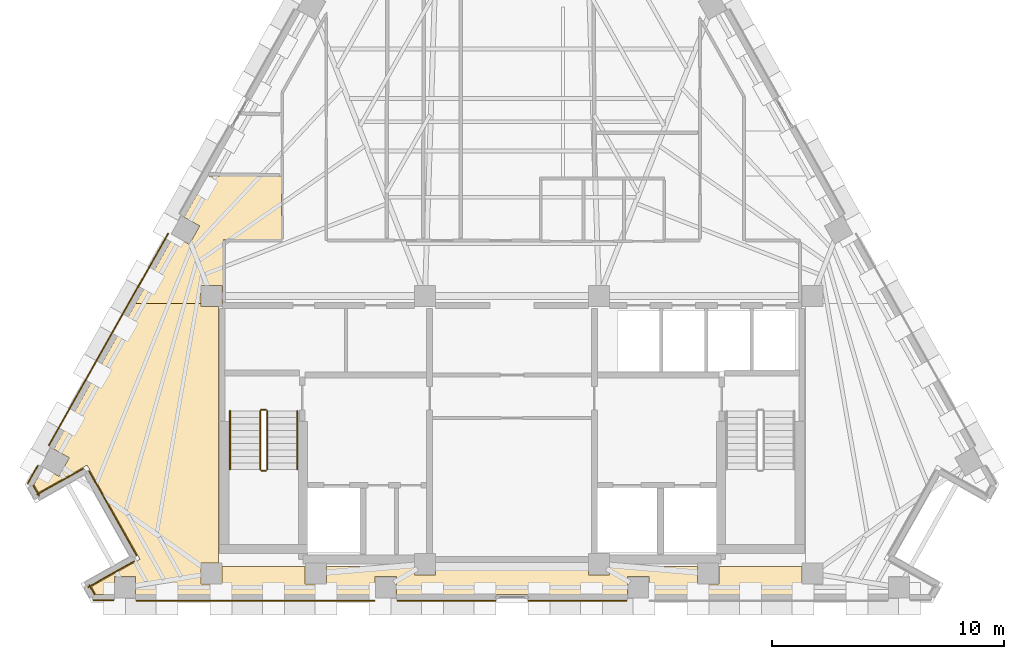
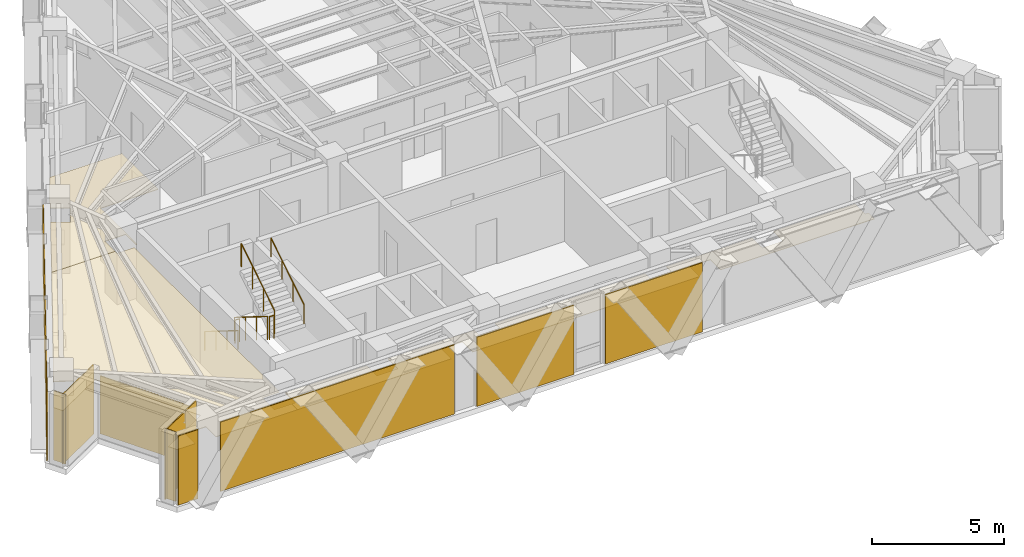
# One storey, part 10 of 12: 14 coverings, 6 railings.
"""IFC4 building model written with IfcOpenShell, lengths in metres."""

from ifc_helpers import new_model, si_unit, direction, frame, origin, origin_2d, place, context, subcontext, project, spatial, polyline, circle, outline, extrude, material, layer, layer_set, type_object, element, save


model = new_model("IFC4")

# Units and contexts
model_context = context("Model", 3, precision=1e-05, world=origin(), true_north=direction((0.0, 1.0)))
body_context = subcontext(model_context, "Body", "Model", "MODEL_VIEW")
ifc_project = project(units=[si_unit("LENGTHUNIT", "METRE"), si_unit("AREAUNIT", "SQUARE_METRE"), si_unit("VOLUMEUNIT", "CUBIC_METRE"), si_unit("PLANEANGLEUNIT", "RADIAN"), si_unit("MASSUNIT", "GRAM", prefix="KILO")], contexts=[model_context])

# Site, building, storey
site_placement = place(None, origin())
site = spatial("IfcSite", under=ifc_project, at=site_placement, CompositionType="ELEMENT")
building_placement = place(site_placement, origin())
building = spatial("IfcBuilding", under=site, at=building_placement, Name="Quenlor Broadcast Tower", CompositionType="ELEMENT")
storey_placement = place(building_placement, frame((0.0, 0.0, 190.39990234375)))
storey = spatial("IfcBuildingStorey", under=building, at=storey_placement, Name="L52", CompositionType="ELEMENT", Elevation=190.39990234375)

# Coverings
ifc_material_1 = material(Name="Acoustic Mineral Fibre Board", Category="other")
ifc_layer_1 = layer(ifc_material_1, 0.02490234375)
ifc_layer_set_1 = layer_set([ifc_layer_1], Name="Acoustic Perforated Mineral Tile Ceiling 25")
covering_type_1 = type_object("IfcCoveringType", Name="Acoustic Perforated Mineral Tile Ceiling 25", PredefinedType="CEILING", material=ifc_layer_set_1)
covering_1_placement = place(storey_placement, frame((0.0, 0.0, 2.375)))
element("IfcCovering", 1, at=covering_1_placement, inside=storey, type_object=covering_type_1, Name="L52 Acoustic Ceiling L52-30", PredefinedType="CEILING", context=body_context, shape_type="SweptSolid", body=[
    extrude(outline(polyline([(-14.572021484375, -2.199462890625), (-13.90283203125, -2.575927734375), (-13.45361328125, -1.777587890625), (-14.123046875, -1.401123046875), (-13.129638671875, 0.36474609375), (-9.929931640625, 0.36474609375), (-9.929931640625, -2.3701171875), (-12.43994140625, -2.3701171875), (-12.43994140625, -5.1201171875), (-12.491943359375, -5.1201171875), (-12.491943359375, -4.342041015625), (-13.407958984375, -4.342041015625), (-13.407958984375, -5.1201171875), (-16.21484375, -5.1201171875), (-14.572021484375, -2.199462890625)])), origin(), (0.0, 0.0, 1.0), 0.025146484375),
])
covering_2_placement = place(storey_placement, frame((0.0, 0.0, 2.375)))
element("IfcCovering", 2, at=covering_2_placement, inside=storey, type_object=covering_type_1, Name="L52 Acoustic Ceiling L52-30-3", PredefinedType="CEILING", context=body_context, shape_type="SweptSolid", body=[
    extrude(outline(polyline([(-20.597900390625, -12.912109375), (-20.191162109375, -12.18896484375), (-19.52197265625, -12.5654296875), (-19.07275390625, -11.76708984375), (-19.7421875, -11.390625), (-16.21484375, -5.1201171875), (-13.407958984375, -5.1201171875), (-13.407958984375, -5.258056640625), (-12.64990234375, -5.258056640625), (-12.64990234375, -16.2919921875), (-13.407958984375, -16.2919921875), (-13.407958984375, -17.2080078125), (-12.64990234375, -17.2080078125), (-12.64990234375, -17.659912109375), (-16.218017578125, -17.659912109375), (-16.218017578125, -16.89208984375), (-17.1337890625, -16.89208984375), (-17.1337890625, -17.659912109375), (-17.927001953125, -17.659912109375), (-18.120849609375, -17.315673828125), (-16.029052734375, -16.138916015625), (-18.30859375, -12.08642578125), (-20.400390625, -13.26318359375), (-20.597900390625, -12.912109375)])), origin(), (0.0, 0.0, 1.0), 0.025146484375),
])
covering_3_placement = place(storey_placement, frame((0.0, 0.0, 2.375)))
element("IfcCovering", 3, at=covering_3_placement, inside=storey, type_object=covering_type_1, Name="L52 Acoustic Ceiling L52-30-5", PredefinedType="CEILING", context=body_context, shape_type="SweptSolid", body=[
    extrude(outline(polyline([(-12.491943359375, -17.2080078125), (-12.491943359375, -16.449951171875), (-8.907958984375, -16.449951171875), (-8.907958984375, -17.2080078125), (-7.991943359375, -17.2080078125), (-7.991943359375, -16.449951171875), (-4.2080078125, -16.449951171875), (-4.2080078125, -16.80810546875), (-3.2919921875, -16.80810546875), (-3.2919921875, -16.449951171875), (3.2919921875, -16.449951171875), (3.2919921875, -16.80810546875), (4.2080078125, -16.80810546875), (4.2080078125, -16.449951171875), (7.991943359375, -16.449951171875), (7.991943359375, -17.2080078125), (8.907958984375, -17.2080078125), (8.907958984375, -16.449951171875), (12.491943359375, -16.449951171875), (12.491943359375, -17.2080078125), (12.64990234375, -17.2080078125), (12.64990234375, -17.659912109375), (5.895751953125, -17.659912109375), (5.895751953125, -16.89208984375), (4.979736328125, -16.89208984375), (4.979736328125, -17.659912109375), (-4.979736328125, -17.659912109375), (-4.979736328125, -16.89208984375), (-5.895751953125, -16.89208984375), (-5.895751953125, -17.659912109375), (-12.64990234375, -17.659912109375), (-12.64990234375, -17.2080078125), (-12.491943359375, -17.2080078125)])), origin(), (0.0, 0.0, 1.0), 0.025146484375),
])
ifc_material_2 = material(Name="Architectural Terracotta Ceramic", Category="masonry")
ifc_layer_2 = layer(ifc_material_2, 0.044921875)
ifc_layer_set_2 = layer_set([ifc_layer_2], Name="Fluted Terracotta Rainscreen Cladding Panel")
covering_type_2 = type_object("IfcCoveringType", Name="Fluted Terracotta Rainscreen Cladding Panel", PredefinedType="CLADDING", material=ifc_layer_set_2)
covering_4_placement = place(storey_placement, frame((0.0, 0.0, 0.02001953125)))
element("IfcCovering", 4, at=covering_4_placement, inside=storey, type_object=covering_type_2, Name="L52 Terracotta Rainscreen Cladding L52-SHD-SS1", PredefinedType="CLADDING", context=body_context, shape_type="SweptSolid", body=[
    extrude(outline(polyline([(-17.160888671875, -17.886962890625), (-18.035888671875, -17.886962890625), (-18.035888671875, -17.931884765625), (-17.160888671875, -17.931884765625), (-17.160888671875, -17.886962890625)])), origin(), (0.0, 0.0, 1.0), 3.2099609375),
])
covering_5_placement = place(storey_placement, frame((0.0, 0.0, 0.02001953125)))
element("IfcCovering", 5, at=covering_5_placement, inside=storey, type_object=covering_type_2, Name="L52 Terracotta Rainscreen Cladding L52-EW-SC", PredefinedType="CLADDING", context=body_context, shape_type="SweptSolid", body=[
    extrude(outline(polyline([(-5.9228515625, -17.89697265625), (-16.19091796875, -17.89697265625), (-16.19091796875, -17.94189453125), (-5.9228515625, -17.94189453125), (-5.9228515625, -17.89697265625)])), origin(), (0.0, 0.0, 1.0), 3.2099609375),
])
covering_6_placement = place(storey_placement, frame((0.0, 0.0, 0.02001953125)))
element("IfcCovering", 6, at=covering_6_placement, inside=storey, type_object=covering_type_2, Name="L52 Terracotta Rainscreen Cladding L52-S-SP1", PredefinedType="CLADDING", context=body_context, shape_type="SweptSolid", body=[
    extrude(outline(polyline([(4.937744140625, -17.89697265625), (0.6923828125, -17.89697265625), (0.6923828125, -17.94189453125), (4.937744140625, -17.94189453125), (4.937744140625, -17.89697265625)])), origin(), (0.0, 0.0, 1.0), 3.2099609375),
])
covering_7_placement = place(storey_placement, frame((0.0, 0.0, 0.02001953125)))
element("IfcCovering", 7, at=covering_7_placement, inside=storey, type_object=covering_type_2, Name="L52 Terracotta Rainscreen Cladding L52-S-SP2", PredefinedType="CLADDING", context=body_context, shape_type="SweptSolid", body=[
    extrude(outline(polyline([(-0.6923828125, -17.89697265625), (-4.937744140625, -17.89697265625), (-4.937744140625, -17.94189453125), (-0.6923828125, -17.94189453125), (-0.6923828125, -17.89697265625)])), origin(), (0.0, 0.0, 1.0), 3.2099609375),
])
covering_8_placement = place(storey_placement, frame((0.0, 0.0, 0.02001953125)))
element("IfcCovering", 8, at=covering_8_placement, inside=storey, type_object=covering_type_2, Name="L52 Terracotta Rainscreen Cladding L52-SHD-NWS0", PredefinedType="CLADDING", context=body_context, shape_type="SweptSolid", body=[
    extrude(outline(polyline([(-20.845458984375, -12.888916015625), (-20.402099609375, -12.10107421875), (-20.44140625, -12.0791015625), (-20.884521484375, -12.866943359375), (-20.845458984375, -12.888916015625)])), origin(), (0.0, 0.0, 1.0), 3.2099609375),
])
covering_9_placement = place(storey_placement, frame((0.0, 0.0, 0.02001953125)))
element("IfcCovering", 9, at=covering_9_placement, inside=storey, type_object=covering_type_2, Name="L52 Terracotta Rainscreen Cladding L52-EW-NWA", PredefinedType="CLADDING", context=body_context, shape_type="SweptSolid", body=[
    extrude(outline(polyline([(-19.935302734375, -11.250732421875), (-14.7919921875, -2.106689453125), (-14.831298828125, -2.084716796875), (-19.974609375, -11.228759765625), (-19.935302734375, -11.250732421875)])), origin(), (0.0, 0.0, 1.0), 3.2099609375),
])
covering_10_placement = place(storey_placement, frame((0.0, 0.0, 0.02001953125)))
element("IfcCovering", 10, at=covering_10_placement, inside=storey, type_object=covering_type_2, Name="L52 Terracotta Rainscreen Cladding L52-CNR-12", PredefinedType="CLADDING", context=body_context, shape_type="SweptSolid", body=[
    extrude(outline(polyline([(-20.64306640625, -12.970458984375), (-20.38623046875, -13.427001953125), (-20.346923828125, -13.405029296875), (-20.60400390625, -12.948486328125), (-20.64306640625, -12.970458984375)])), origin(), (0.0, 0.0, 1.0), 3.2099609375),
])
covering_11_placement = place(storey_placement, frame((0.0, 0.0, 0.02001953125)))
element("IfcCovering", 11, at=covering_11_placement, inside=storey, type_object=covering_type_2, Name="L52 Terracotta Rainscreen Cladding L52-CNR-13", PredefinedType="CLADDING", context=body_context, shape_type="SweptSolid", body=[
    extrude(outline(polyline([(-20.462890625, -13.376220703125), (-18.45849609375, -12.248779296875), (-18.48046875, -12.20947265625), (-20.485107421875, -13.337158203125), (-20.462890625, -13.376220703125)])), origin(), (0.0, 0.0, 1.0), 3.2099609375),
])
covering_12_placement = place(storey_placement, frame((0.0, 0.0, 0.02001953125)))
element("IfcCovering", 12, at=covering_12_placement, inside=storey, type_object=covering_type_2, Name="L52 Terracotta Rainscreen Cladding L52-CNR-14", PredefinedType="CLADDING", context=body_context, shape_type="SweptSolid", body=[
    extrude(outline(polyline([(-18.245361328125, -12.337646484375), (-16.19140625, -15.9892578125), (-16.152099609375, -15.96728515625), (-18.206298828125, -12.315673828125), (-18.245361328125, -12.337646484375)])), origin(), (0.0, 0.0, 1.0), 2.681884765625),
])
covering_13_placement = place(storey_placement, frame((0.0, 0.0, 0.02001953125)))
element("IfcCovering", 13, at=covering_13_placement, inside=storey, type_object=covering_type_2, Name="L52 Terracotta Rainscreen Cladding L52-CNR-15", PredefinedType="CLADDING", context=body_context, shape_type="SweptSolid", body=[
    extrude(outline(polyline([(-16.2802734375, -16.2021484375), (-18.284912109375, -17.329833984375), (-18.262939453125, -17.368896484375), (-16.25830078125, -16.241455078125), (-16.2802734375, -16.2021484375)])), origin(), (0.0, 0.0, 1.0), 3.2099609375),
])
covering_14_placement = place(storey_placement, frame((0.0, 0.0, 0.02001953125)))
element("IfcCovering", 14, at=covering_14_placement, inside=storey, type_object=covering_type_2, Name="L52 Terracotta Rainscreen Cladding L52-CNR-16", PredefinedType="CLADDING", context=body_context, shape_type="SweptSolid", body=[
    extrude(outline(polyline([(-18.234130859375, -17.2529296875), (-17.99853515625, -17.671875), (-17.959228515625, -17.64990234375), (-18.19482421875, -17.23095703125), (-18.234130859375, -17.2529296875)])), origin(), (0.0, 0.0, 1.0), 3.2099609375),
])

# Railings
ifc_material_3 = material(Name="Anodised Aluminium", Category="aluminium")
railing_type_1 = type_object("IfcRailingType", Name="Stainless Aluminium Wall Handrail 900", PredefinedType="HANDRAIL", material=ifc_material_3)
railing_1_placement = place(storey_placement, frame((-12.14990234375, -9.75, 0.175048828125)))
element("IfcRailing", 15, at=railing_1_placement, inside=storey, type_object=railing_type_1, Name="L52 ST-1 stair handrail 1", PredefinedType="HANDRAIL", context=body_context, shape_type="SweptSolid", body=[
    extrude(circle(Radius=0.02392578125, at=origin_2d()), frame((0.0, 0.0, 0.8759765625), z_axis=(0.0, -0.848007534815, 0.529984170421), x_axis=(1.0, 0.0, 0.0)), (0.0, 0.0, 1.0), 2.9716796875),
    extrude(circle(Radius=0.02099609375, at=origin_2d()), origin(), (0.0, 0.0, 1.0), 0.851806640625),
    extrude(circle(Radius=0.02099609375, at=origin_2d()), frame((0.0, -0.840087890625, 0.52490234375)), (0.0, 0.0, 1.0), 0.851806640625),
    extrude(circle(Radius=0.02099609375, at=origin_2d()), frame((0.0, -1.679931640625, 1.050048828125)), (0.0, 0.0, 1.0), 0.851806640625),
    extrude(circle(Radius=0.02099609375, at=origin_2d()), frame((0.0, -2.52001953125, 1.574951171875)), (0.0, 0.0, 1.0), 0.851806640625),
])
railing_2_placement = place(storey_placement, frame((-9.25, -12.27001953125, 1.925048828125)))
element("IfcRailing", 16, at=railing_2_placement, inside=storey, type_object=railing_type_1, Name="L52 ST-1 stair handrail 2", PredefinedType="HANDRAIL", context=body_context, shape_type="SweptSolid", body=[
    extrude(circle(Radius=0.02392578125, at=origin_2d()), frame((0.0, 0.0, 0.8759765625), z_axis=(0.0, 0.848007534815, 0.529984170421), x_axis=(-1.0, 0.0, 0.0)), (0.0, 0.0, 1.0), 2.9716796875),
    extrude(circle(Radius=0.02099609375, at=origin_2d()), origin(), (0.0, 0.0, 1.0), 0.851806640625),
    extrude(circle(Radius=0.02099609375, at=origin_2d()), frame((0.0, 0.840087890625, 0.52490234375)), (0.0, 0.0, 1.0), 0.851806640625),
    extrude(circle(Radius=0.02099609375, at=origin_2d()), frame((0.0, 1.679931640625, 1.050048828125)), (0.0, 0.0, 1.0), 0.851806640625),
    extrude(circle(Radius=0.02099609375, at=origin_2d()), frame((0.0, 2.52001953125, 1.574951171875)), (0.0, 0.0, 1.0), 0.851806640625),
])
ifc_material_4 = material(Name="Steel S355", Category="steel")
railing_type_2 = type_object("IfcRailingType", Name="Tubular Steel S355 Stair Guardrail 1100", PredefinedType="BALUSTRADE", material=ifc_material_4)
railing_3_placement = place(storey_placement, frame((-10.85009765625, -9.75, 0.175048828125)))
element("IfcRailing", 17, at=railing_3_placement, inside=storey, type_object=railing_type_2, Name="L52 ST-1 stair guard 1", PredefinedType="BALUSTRADE", context=body_context, shape_type="SweptSolid", body=[
    extrude(circle(Radius=0.02392578125, at=origin_2d()), frame((0.0, 0.0, 1.076171875), z_axis=(0.0, -0.848007534815, 0.529984170421), x_axis=(1.0, 0.0, 0.0)), (0.0, 0.0, 1.0), 2.9716796875),
    extrude(circle(Radius=0.02099609375, at=origin_2d()), origin(), (0.0, 0.0, 1.0), 1.052001953125),
    extrude(circle(Radius=0.02099609375, at=origin_2d()), frame((0.0, -0.840087890625, 0.52490234375)), (0.0, 0.0, 1.0), 1.052001953125),
    extrude(circle(Radius=0.02099609375, at=origin_2d()), frame((0.0, -1.679931640625, 1.050048828125)), (0.0, 0.0, 1.0), 1.052001953125),
    extrude(circle(Radius=0.02099609375, at=origin_2d()), frame((0.0, -2.52001953125, 1.574951171875)), (0.0, 0.0, 1.0), 1.052001953125),
])
railing_4_placement = place(storey_placement, frame((-10.800048828125, -12.320068359375, 1.75)))
element("IfcRailing", 18, at=railing_4_placement, inside=storey, type_object=railing_type_2, Name="L52 ST-1 stair guard 2", PredefinedType="BALUSTRADE", context=body_context, shape_type="SweptSolid", body=[
    extrude(circle(Radius=0.02392578125, at=origin_2d()), frame((0.0, 0.0, 1.076171875), z_axis=(1.0, 0.0, 0.0), x_axis=(0.0, 1.0, 0.0)), (0.0, 0.0, 1.0), 0.199951171875),
    extrude(circle(Radius=0.02099609375, at=origin_2d()), origin(), (0.0, 0.0, 1.0), 1.052001953125),
    extrude(circle(Radius=0.02099609375, at=origin_2d()), frame((0.199951171875, 0.0, 0.0)), (0.0, 0.0, 1.0), 1.052001953125),
])
railing_5_placement = place(storey_placement, frame((-10.550048828125, -12.27001953125, 1.925048828125)))
element("IfcRailing", 19, at=railing_5_placement, inside=storey, type_object=railing_type_2, Name="L52 ST-1 stair guard 3", PredefinedType="BALUSTRADE", context=body_context, shape_type="SweptSolid", body=[
    extrude(circle(Radius=0.02392578125, at=origin_2d()), frame((0.0, 0.0, 1.076171875), z_axis=(0.0, 0.848007534815, 0.529984170421), x_axis=(-1.0, 0.0, 0.0)), (0.0, 0.0, 1.0), 2.9716796875),
    extrude(circle(Radius=0.02099609375, at=origin_2d()), origin(), (0.0, 0.0, 1.0), 1.052001953125),
    extrude(circle(Radius=0.02099609375, at=origin_2d()), frame((0.0, 0.840087890625, 0.52490234375)), (0.0, 0.0, 1.0), 1.052001953125),
    extrude(circle(Radius=0.02099609375, at=origin_2d()), frame((0.0, 1.679931640625, 1.050048828125)), (0.0, 0.0, 1.0), 1.052001953125),
    extrude(circle(Radius=0.02099609375, at=origin_2d()), frame((0.0, 2.52001953125, 1.574951171875)), (0.0, 0.0, 1.0), 1.052001953125),
])
railing_6_placement = place(storey_placement, frame((-10.800048828125, -9.699951171875, 0.0)))
element("IfcRailing", 20, at=railing_6_placement, inside=storey, type_object=railing_type_2, Name="L52 ST-1 stair guard 4", PredefinedType="BALUSTRADE", context=body_context, shape_type="SweptSolid", body=[
    extrude(circle(Radius=0.02392578125, at=origin_2d()), frame((0.0, 0.0, 1.076171875), z_axis=(1.0, 0.0, 0.0), x_axis=(0.0, 1.0, 0.0)), (0.0, 0.0, 1.0), 0.199951171875),
    extrude(circle(Radius=0.02099609375, at=origin_2d()), origin(), (0.0, 0.0, 1.0), 1.052001953125),
    extrude(circle(Radius=0.02099609375, at=origin_2d()), frame((0.199951171875, 0.0, 0.0)), (0.0, 0.0, 1.0), 1.052001953125),
])

save(model, "model.ifc")
